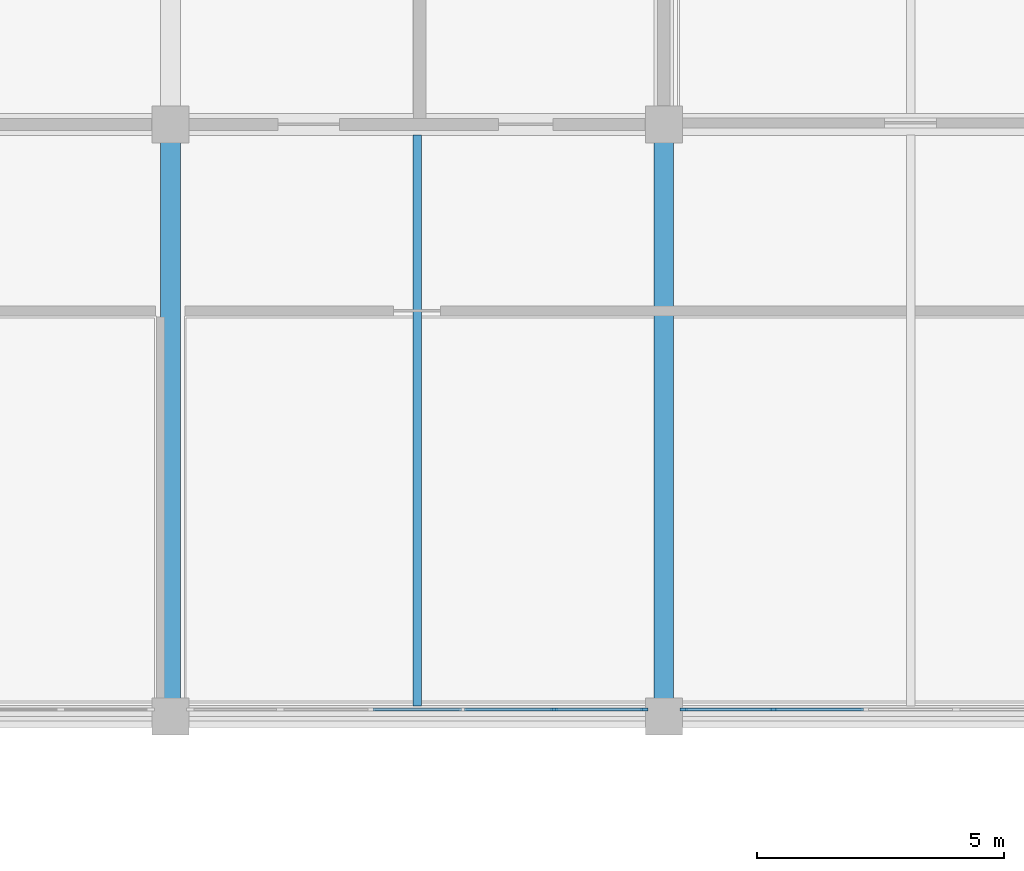
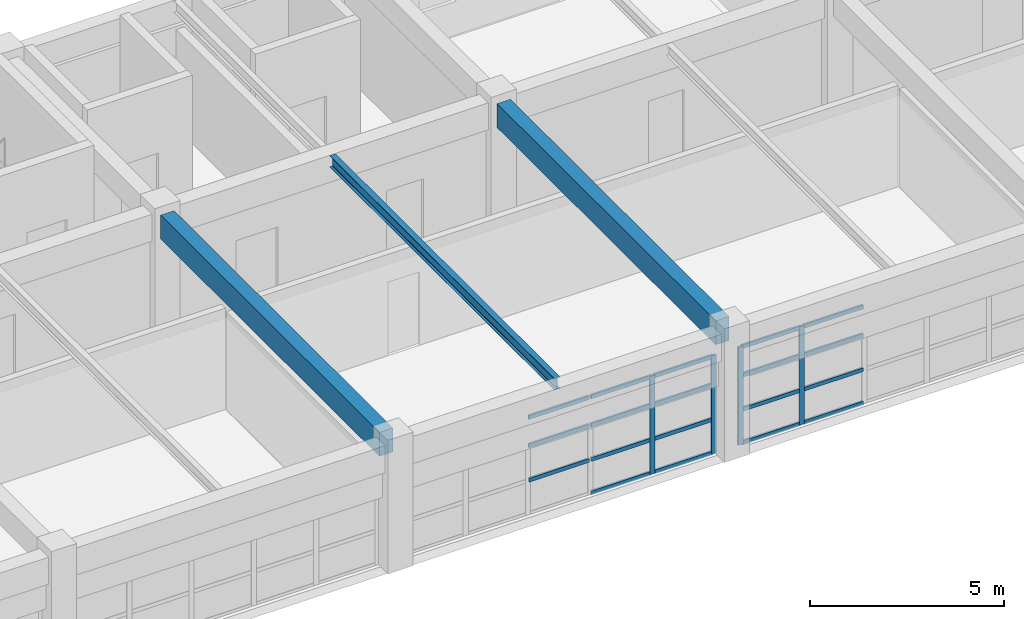
# One storey, part 39 of 83: 23 members, 3 beams, 2 elements without a shape of their own.
"""IFC4 building model written with IfcOpenShell, lengths in metres."""

from ifc_helpers import new_model, si_unit, direction, frame, origin, origin_2d, place, context, subcontext, project, spatial, rectangle, i_section, extrude, material, layer, layer_set, material_profile, profile_set, type_object, element, aggregate, save


model = new_model("IFC4")

# Units and contexts
model_context = context("Model", 3, precision=1e-05, world=origin(), true_north=direction((0.0, 1.0)))
body_context = subcontext(model_context, "Body", "Model", "MODEL_VIEW")
ifc_project = project(units=[si_unit("LENGTHUNIT", "METRE"), si_unit("AREAUNIT", "SQUARE_METRE"), si_unit("VOLUMEUNIT", "CUBIC_METRE"), si_unit("PLANEANGLEUNIT", "RADIAN"), si_unit("MASSUNIT", "GRAM", prefix="KILO")], contexts=[model_context])

# Site, building, storey
site_placement = place(None, origin())
site = spatial("IfcSite", under=ifc_project, at=site_placement, CompositionType="ELEMENT")
building_placement = place(site_placement, origin())
building = spatial("IfcBuilding", under=site, at=building_placement, Name="Kivolera Central Railway Station", CompositionType="ELEMENT")
storey_placement = place(building_placement, frame((0.0, 0.0, 14.39990234375)))
storey = spatial("IfcBuildingStorey", under=building, at=storey_placement, Name="L03", CompositionType="ELEMENT", Elevation=14.39990234375)

# Beams
ifc_material_1 = material(Name="Steel S355", Category="steel")
ifc_material_profile_1 = material_profile(ifc_material_1, i_section(OverallWidth=0.169921875, OverallDepth=0.360107421875, WebThickness=0.008056640625, FlangeThickness=0.0126953125, FilletRadius=0.01806640625, at=origin_2d()), Name="IPE 360")
ifc_profile_set_1 = profile_set([ifc_material_profile_1], Name="Steel S355")
beam_type_1 = type_object("IfcBeamType", Name="BM-JST-IPE360", PredefinedType="JOIST", material=ifc_profile_set_1)
beam_placement = place(storey_placement, frame((163.0, 114.217041015625, 3.748046875), z_axis=(0.0, 1.0, 0.0), x_axis=(-1.0, 0.0, 0.0)))
element("IfcBeam", 1, at=beam_placement, inside=storey, type_object=beam_type_1, Name="L03 Floor Joist 16-17/K-L", PredefinedType="JOIST", context=body_context, shape_type="SweptSolid", body=[
    extrude(i_section(OverallWidth=0.169921875, OverallDepth=0.360107421875, WebThickness=0.008056640625, FlangeThickness=0.0126953125, FilletRadius=0.01806640625, at=origin_2d()), origin(), (0.0, 0.0, 1.0), 11.56591796875),
])
ifc_material_2 = material(Name="Concrete C40/50", Category="concrete")
ifc_material_profile_2 = material_profile(ifc_material_2, rectangle(XDim=0.39990234375, YDim=0.75, at=origin_2d()), Name="RC 400x750")
ifc_profile_set_2 = profile_set([ifc_material_profile_2], Name="Concrete C40/50")
beam_type_2 = type_object("IfcBeamType", Name="BM-RC-400x750", PredefinedType="BEAM", material=ifc_profile_set_2)
for number, where, z_axis, x_axis, name in (
    (2, (158.0, 114.366943359375, 3.565185546875), (0.0, 1.0, 0.0), (-1.0, 0.0, 0.0), "L03 Wing Y-Beam 16:K-L"),
    (3, (168.0, 114.366943359375, 3.565185546875), (0.0, 1.0, 0.0), (-1.0, 0.0, 0.0), "L03 Wing Y-Beam 17:K-L"),
):
    element("IfcBeam", number, at=place(storey_placement, frame(where, z_axis=z_axis, x_axis=x_axis)), inside=storey, type_object=beam_type_2, Name=name, PredefinedType="BEAM", context=body_context, shape_type="SweptSolid", body=[
        extrude(rectangle(XDim=0.39990234375, YDim=0.75, at=origin_2d()), origin(), (0.0, 0.0, 1.0), 11.26611328125),
    ])

# Curtain wall, members
ifc_material_3 = material(Name="Anodised aluminium", Category="aluminium")
ifc_layer = layer(ifc_material_3, 0.179931640625, Name="Anodised aluminium")
ifc_layer_set = layer_set([ifc_layer], Name="Anodised aluminium")
curtain_wall_type = type_object("IfcCurtainWallType", Name="CW-SYS-29", PredefinedType="NOTDEFINED", material=ifc_layer_set)
curtain_wall_1_placement = place(storey_placement, origin())
curtain_wall_1 = element("IfcCurtainWall", 4, at=curtain_wall_1_placement, inside=storey, type_object=curtain_wall_type, Name="L03 Curtain Wall CW-L03-CRTN-158", PredefinedType="NOTDEFINED")
ifc_material_profile_3 = material_profile(ifc_material_3, rectangle(XDim=0.06005859375, YDim=0.14990234375, at=origin_2d()), Name="ALU MULL 60x150")
ifc_profile_set_3 = profile_set([ifc_material_profile_3], Name="Anodised aluminium")
member_type_1 = type_object("IfcMemberType", Name="CWM-MUL-2", PredefinedType="MULLION", material=ifc_profile_set_3)
member_1_placement = place(storey_placement, frame((167.60009765625, 114.14501953125, -0.0048828125), z_axis=(0.0, 0.0, 1.0), x_axis=(0.0, -1.0, 0.0)))
member_1 = element("IfcMember", 5, at=member_1_placement, type_object=member_type_1, Name="CW-29 mullion 1", PredefinedType="MULLION", context=body_context, shape_type="SweptSolid", body=[
    extrude(rectangle(XDim=0.06005859375, YDim=0.14990234375, at=origin_2d()), origin(), (0.0, 0.0, 1.0), 3.0830078125),
])
member_2_placement = place(storey_placement, frame((165.778076171875, 114.14501953125, -0.0048828125), z_axis=(0.0, 0.0, 1.0), x_axis=(0.0, -1.0, 0.0)))
member_2 = element("IfcMember", 6, at=member_2_placement, type_object=member_type_1, Name="CW-29 mullion 2", PredefinedType="MULLION", context=body_context, shape_type="SweptSolid", body=[
    extrude(rectangle(XDim=0.06005859375, YDim=0.14990234375, at=origin_2d()), origin(), (0.0, 0.0, 1.0), 3.0830078125),
])

curtain_wall_2_placement = place(storey_placement, origin())
curtain_wall_2 = element("IfcCurtainWall", 7, at=curtain_wall_2_placement, inside=storey, type_object=curtain_wall_type, Name="L03 Curtain Wall CW-L03-CRTN-168", PredefinedType="NOTDEFINED")
member_3_placement = place(storey_placement, frame((170.221923828125, 114.14501953125, -0.0048828125), z_axis=(0.0, 0.0, 1.0), x_axis=(0.0, -1.0, 0.0)))
member_3 = element("IfcMember", 8, at=member_3_placement, type_object=member_type_1, Name="CW-29 mullion 5", PredefinedType="MULLION", context=body_context, shape_type="SweptSolid", body=[
    extrude(rectangle(XDim=0.06005859375, YDim=0.14990234375, at=origin_2d()), origin(), (0.0, 0.0, 1.0), 3.0830078125),
])
member_4_placement = place(storey_placement, frame((168.39990234375, 114.14501953125, -0.0048828125), z_axis=(0.0, 0.0, 1.0), x_axis=(0.0, -1.0, 0.0)))
member_4 = element("IfcMember", 9, at=member_4_placement, type_object=member_type_1, Name="CW-29 mullion 6", PredefinedType="MULLION", context=body_context, shape_type="SweptSolid", body=[
    extrude(rectangle(XDim=0.06005859375, YDim=0.14990234375, at=origin_2d()), origin(), (0.0, 0.0, 1.0), 3.0830078125),
])

# Member
ifc_material_profile_4 = material_profile(ifc_material_3, rectangle(XDim=0.06005859375, YDim=0.1201171875, at=origin_2d()), Name="ALU TRAN 60x120")
ifc_profile_set_4 = profile_set([ifc_material_profile_4], Name="Anodised aluminium")
member_type_2 = type_object("IfcMemberType", Name="CWM-TRN-2", PredefinedType="USERDEFINED", material=ifc_profile_set_4)
member_5_placement = place(storey_placement, frame((167.570068359375, 114.14501953125, 0.030029296875), z_axis=(-1.0, 0.0, 0.0), x_axis=(0.0, -1.0, 0.0)))
member_5 = element("IfcMember", 10, at=member_5_placement, type_object=member_type_2, Name="CW-29 transom 1.1", ObjectType="TRANSOM", PredefinedType="USERDEFINED", context=body_context, shape_type="SweptSolid", body=[
    extrude(rectangle(XDim=0.06005859375, YDim=0.1201171875, at=origin_2d()), origin(), (0.0, 0.0, 1.0), 1.761962890625),
])

member_6_placement = place(storey_placement, frame((167.570068359375, 114.14501953125, 1.077392578125), z_axis=(-1.0, 0.0, 0.0), x_axis=(0.0, -1.0, 0.0)))
member_6 = element("IfcMember", 11, at=member_6_placement, type_object=member_type_2, Name="CW-29 transom 1.2", ObjectType="TRANSOM", PredefinedType="USERDEFINED", context=body_context, shape_type="SweptSolid", body=[
    extrude(rectangle(XDim=0.06005859375, YDim=0.1201171875, at=origin_2d()), origin(), (0.0, 0.0, 1.0), 1.761962890625),
])

member_7_placement = place(storey_placement, frame((167.570068359375, 114.14501953125, 2.15478515625), z_axis=(-1.0, 0.0, 0.0), x_axis=(0.0, -1.0, 0.0)))
member_7 = element("IfcMember", 12, at=member_7_placement, type_object=member_type_2, Name="CW-29 transom 1.3", ObjectType="TRANSOM", PredefinedType="USERDEFINED", context=body_context, shape_type="SweptSolid", body=[
    extrude(rectangle(XDim=0.06005859375, YDim=0.1201171875, at=origin_2d()), origin(), (0.0, 0.0, 1.0), 1.761962890625),
])

member_8_placement = place(storey_placement, frame((167.570068359375, 114.14501953125, 3.048095703125), z_axis=(-1.0, 0.0, 0.0), x_axis=(0.0, -1.0, 0.0)))
member_8 = element("IfcMember", 13, at=member_8_placement, type_object=member_type_2, Name="CW-29 transom 1.4", ObjectType="TRANSOM", PredefinedType="USERDEFINED", context=body_context, shape_type="SweptSolid", body=[
    extrude(rectangle(XDim=0.06005859375, YDim=0.1201171875, at=origin_2d()), origin(), (0.0, 0.0, 1.0), 1.761962890625),
])

member_9_placement = place(storey_placement, frame((165.748046875, 114.14501953125, 0.030029296875), z_axis=(-1.0, 0.0, 0.0), x_axis=(0.0, -1.0, 0.0)))
member_9 = element("IfcMember", 14, at=member_9_placement, type_object=member_type_2, Name="CW-29 transom 2.1", ObjectType="TRANSOM", PredefinedType="USERDEFINED", context=body_context, shape_type="SweptSolid", body=[
    extrude(rectangle(XDim=0.06005859375, YDim=0.1201171875, at=origin_2d()), origin(), (0.0, 0.0, 1.0), 1.7919921875),
])

member_10_placement = place(storey_placement, frame((165.748046875, 114.14501953125, 1.077392578125), z_axis=(-1.0, 0.0, 0.0), x_axis=(0.0, -1.0, 0.0)))
member_10 = element("IfcMember", 15, at=member_10_placement, type_object=member_type_2, Name="CW-29 transom 2.2", ObjectType="TRANSOM", PredefinedType="USERDEFINED", context=body_context, shape_type="SweptSolid", body=[
    extrude(rectangle(XDim=0.06005859375, YDim=0.1201171875, at=origin_2d()), origin(), (0.0, 0.0, 1.0), 1.7919921875),
])

member_11_placement = place(storey_placement, frame((165.748046875, 114.14501953125, 2.15478515625), z_axis=(-1.0, 0.0, 0.0), x_axis=(0.0, -1.0, 0.0)))
member_11 = element("IfcMember", 16, at=member_11_placement, type_object=member_type_2, Name="CW-29 transom 2.3", ObjectType="TRANSOM", PredefinedType="USERDEFINED", context=body_context, shape_type="SweptSolid", body=[
    extrude(rectangle(XDim=0.06005859375, YDim=0.1201171875, at=origin_2d()), origin(), (0.0, 0.0, 1.0), 1.7919921875),
])

member_12_placement = place(storey_placement, frame((165.748046875, 114.14501953125, 3.048095703125), z_axis=(-1.0, 0.0, 0.0), x_axis=(0.0, -1.0, 0.0)))
member_12 = element("IfcMember", 17, at=member_12_placement, type_object=member_type_2, Name="CW-29 transom 2.4", ObjectType="TRANSOM", PredefinedType="USERDEFINED", context=body_context, shape_type="SweptSolid", body=[
    extrude(rectangle(XDim=0.06005859375, YDim=0.1201171875, at=origin_2d()), origin(), (0.0, 0.0, 1.0), 1.7919921875),
])

member_13_placement = place(storey_placement, frame((163.89599609375, 114.14501953125, 1.077392578125), z_axis=(-1.0, 0.0, 0.0), x_axis=(0.0, -1.0, 0.0)))
member_13 = element("IfcMember", 18, at=member_13_placement, type_object=member_type_2, Name="CW-29 transom 3.2", ObjectType="TRANSOM", PredefinedType="USERDEFINED", context=body_context, shape_type="SweptSolid", body=[
    extrude(rectangle(XDim=0.06005859375, YDim=0.1201171875, at=origin_2d()), origin(), (0.0, 0.0, 1.0), 1.7919921875),
])

member_14_placement = place(storey_placement, frame((163.89599609375, 114.14501953125, 2.15478515625), z_axis=(-1.0, 0.0, 0.0), x_axis=(0.0, -1.0, 0.0)))
member_14 = element("IfcMember", 19, at=member_14_placement, type_object=member_type_2, Name="CW-29 transom 3.3", ObjectType="TRANSOM", PredefinedType="USERDEFINED", context=body_context, shape_type="SweptSolid", body=[
    extrude(rectangle(XDim=0.06005859375, YDim=0.1201171875, at=origin_2d()), origin(), (0.0, 0.0, 1.0), 1.7919921875),
])

member_15_placement = place(storey_placement, frame((163.89599609375, 114.14501953125, 3.048095703125), z_axis=(-1.0, 0.0, 0.0), x_axis=(0.0, -1.0, 0.0)))
member_15 = element("IfcMember", 20, at=member_15_placement, type_object=member_type_2, Name="CW-29 transom 3.4", ObjectType="TRANSOM", PredefinedType="USERDEFINED", context=body_context, shape_type="SweptSolid", body=[
    extrude(rectangle(XDim=0.06005859375, YDim=0.1201171875, at=origin_2d()), origin(), (0.0, 0.0, 1.0), 1.7919921875),
])

aggregate(curtain_wall_1, [member_1, member_2, member_5, member_6, member_7, member_8, member_9, member_10, member_11, member_12, member_13, member_14, member_15])

member_16_placement = place(storey_placement, frame((172.0439453125, 114.14501953125, 0.030029296875), z_axis=(-1.0, 0.0, 0.0), x_axis=(0.0, -1.0, 0.0)))
member_16 = element("IfcMember", 21, at=member_16_placement, type_object=member_type_2, Name="CW-29 transom 4.1", ObjectType="TRANSOM", PredefinedType="USERDEFINED", context=body_context, shape_type="SweptSolid", body=[
    extrude(rectangle(XDim=0.06005859375, YDim=0.1201171875, at=origin_2d()), origin(), (0.0, 0.0, 1.0), 1.7919921875),
])

member_17_placement = place(storey_placement, frame((172.0439453125, 114.14501953125, 1.077392578125), z_axis=(-1.0, 0.0, 0.0), x_axis=(0.0, -1.0, 0.0)))
member_17 = element("IfcMember", 22, at=member_17_placement, type_object=member_type_2, Name="CW-29 transom 4.2", ObjectType="TRANSOM", PredefinedType="USERDEFINED", context=body_context, shape_type="SweptSolid", body=[
    extrude(rectangle(XDim=0.06005859375, YDim=0.1201171875, at=origin_2d()), origin(), (0.0, 0.0, 1.0), 1.7919921875),
])

member_18_placement = place(storey_placement, frame((172.0439453125, 114.14501953125, 2.15478515625), z_axis=(-1.0, 0.0, 0.0), x_axis=(0.0, -1.0, 0.0)))
member_18 = element("IfcMember", 23, at=member_18_placement, type_object=member_type_2, Name="CW-29 transom 4.3", ObjectType="TRANSOM", PredefinedType="USERDEFINED", context=body_context, shape_type="SweptSolid", body=[
    extrude(rectangle(XDim=0.06005859375, YDim=0.1201171875, at=origin_2d()), origin(), (0.0, 0.0, 1.0), 1.7919921875),
])

member_19_placement = place(storey_placement, frame((172.0439453125, 114.14501953125, 3.048095703125), z_axis=(-1.0, 0.0, 0.0), x_axis=(0.0, -1.0, 0.0)))
member_19 = element("IfcMember", 24, at=member_19_placement, type_object=member_type_2, Name="CW-29 transom 4.4", ObjectType="TRANSOM", PredefinedType="USERDEFINED", context=body_context, shape_type="SweptSolid", body=[
    extrude(rectangle(XDim=0.06005859375, YDim=0.1201171875, at=origin_2d()), origin(), (0.0, 0.0, 1.0), 1.7919921875),
])

member_20_placement = place(storey_placement, frame((170.19189453125, 114.14501953125, 0.030029296875), z_axis=(-1.0, 0.0, 0.0), x_axis=(0.0, -1.0, 0.0)))
member_20 = element("IfcMember", 25, at=member_20_placement, type_object=member_type_2, Name="CW-29 transom 5.1", ObjectType="TRANSOM", PredefinedType="USERDEFINED", context=body_context, shape_type="SweptSolid", body=[
    extrude(rectangle(XDim=0.06005859375, YDim=0.1201171875, at=origin_2d()), origin(), (0.0, 0.0, 1.0), 1.761962890625),
])

member_21_placement = place(storey_placement, frame((170.19189453125, 114.14501953125, 1.077392578125), z_axis=(-1.0, 0.0, 0.0), x_axis=(0.0, -1.0, 0.0)))
member_21 = element("IfcMember", 26, at=member_21_placement, type_object=member_type_2, Name="CW-29 transom 5.2", ObjectType="TRANSOM", PredefinedType="USERDEFINED", context=body_context, shape_type="SweptSolid", body=[
    extrude(rectangle(XDim=0.06005859375, YDim=0.1201171875, at=origin_2d()), origin(), (0.0, 0.0, 1.0), 1.761962890625),
])

member_22_placement = place(storey_placement, frame((170.19189453125, 114.14501953125, 2.15478515625), z_axis=(-1.0, 0.0, 0.0), x_axis=(0.0, -1.0, 0.0)))
member_22 = element("IfcMember", 27, at=member_22_placement, type_object=member_type_2, Name="CW-29 transom 5.3", ObjectType="TRANSOM", PredefinedType="USERDEFINED", context=body_context, shape_type="SweptSolid", body=[
    extrude(rectangle(XDim=0.06005859375, YDim=0.1201171875, at=origin_2d()), origin(), (0.0, 0.0, 1.0), 1.761962890625),
])

member_23_placement = place(storey_placement, frame((170.19189453125, 114.14501953125, 3.048095703125), z_axis=(-1.0, 0.0, 0.0), x_axis=(0.0, -1.0, 0.0)))
member_23 = element("IfcMember", 28, at=member_23_placement, type_object=member_type_2, Name="CW-29 transom 5.4", ObjectType="TRANSOM", PredefinedType="USERDEFINED", context=body_context, shape_type="SweptSolid", body=[
    extrude(rectangle(XDim=0.06005859375, YDim=0.1201171875, at=origin_2d()), origin(), (0.0, 0.0, 1.0), 1.761962890625),
])

aggregate(curtain_wall_2, [member_3, member_4, member_16, member_17, member_18, member_19, member_20, member_21, member_22, member_23])

save(model, "model.ifc")
